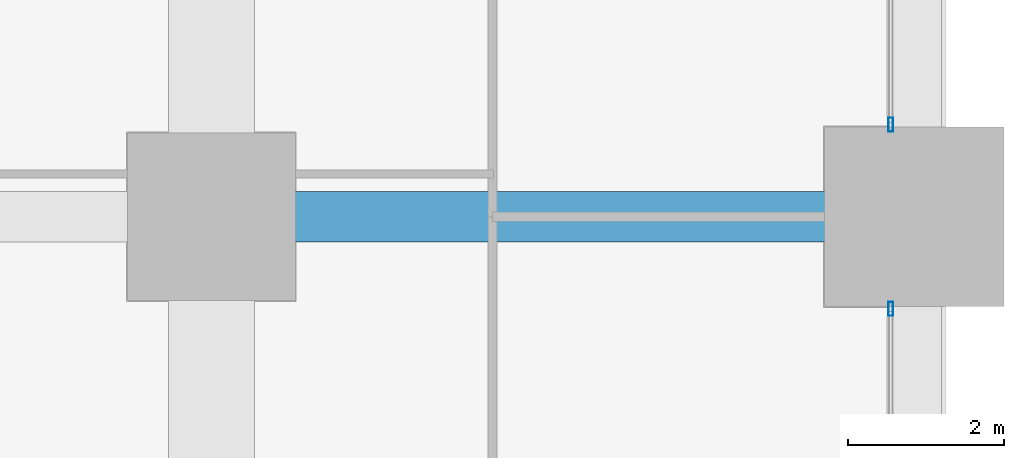
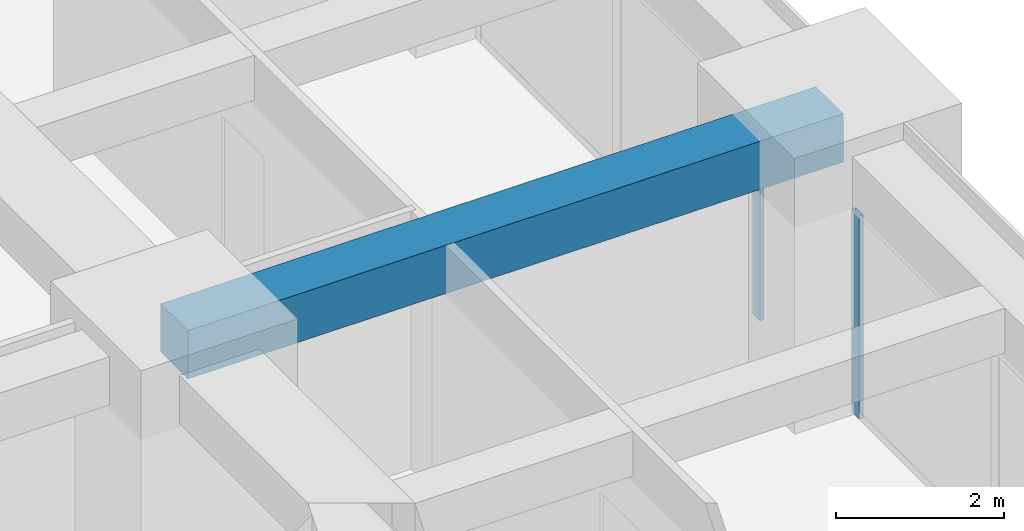
# One storey, part 32 of 44: 2 members, 1 beam, 2 elements without a shape of their own.
"""IFC4 building model written with IfcOpenShell, lengths in metres."""

from ifc_helpers import new_model, si_unit, direction, frame, origin, origin_2d, place, context, subcontext, project, spatial, rectangle, hollow_rectangle, extrude, material, material_profile, profile_set, type_object, element, aggregate, save


model = new_model("IFC4")

# Units and contexts
model_context = context("Model", 3, precision=1e-05, world=origin(), true_north=direction((0.0, 1.0)))
body_context = subcontext(model_context, "Body", "Model", "MODEL_VIEW")
ifc_project = project(units=[si_unit("LENGTHUNIT", "METRE"), si_unit("AREAUNIT", "SQUARE_METRE"), si_unit("VOLUMEUNIT", "CUBIC_METRE"), si_unit("PLANEANGLEUNIT", "RADIAN"), si_unit("MASSUNIT", "GRAM", prefix="KILO")], contexts=[model_context])

# Site, building, storey
site_placement = place(None, origin())
site = spatial("IfcSite", under=ifc_project, at=site_placement, CompositionType="ELEMENT")
building_placement = place(site_placement, origin())
building = spatial("IfcBuilding", under=site, at=building_placement, Name="Zorevar Civic Tower", CompositionType="ELEMENT")
storey_placement = place(building_placement, frame((0.0, 0.0, 55.800048828125)))
storey = spatial("IfcBuildingStorey", under=building, at=storey_placement, Name="L13", CompositionType="ELEMENT", Elevation=55.800048828125)

# Beam
ifc_material_1 = material(Name="Concrete C50/60", Category="concrete")
ifc_material_profile_1 = material_profile(ifc_material_1, rectangle(XDim=0.64990234375, YDim=0.699951171875, at=origin_2d()), Name="RC 650x700")
ifc_profile_set_1 = profile_set([ifc_material_profile_1], Name="Concrete C50/60")
beam_type = type_object("IfcBeamType", Name="Beam RC 650x700", PredefinedType="BEAM", material=ifc_profile_set_1)
beam_placement = place(storey_placement, frame((54.0, 36.0, 3.39990234375), z_axis=(1.0, 0.0, 0.0), x_axis=(0.0, 1.0, 0.0)))
element("IfcBeam", 1, at=beam_placement, inside=storey, type_object=beam_type, Name="Girder L14", PredefinedType="BEAM", context=body_context, shape_type="SweptSolid", body=[
    extrude(rectangle(XDim=0.64990234375, YDim=0.699951171875, at=origin_2d()), origin(), (0.0, 0.0, 1.0), 9.0),
])

# Curtain wall, member
ifc_material_2 = material(Name="Dark grey solar-control glass in black aluminium frame", Category="aluminium")
curtain_wall_type = type_object("IfcCurtainWallType", Name="Curtain wall CW2 low zone", PredefinedType="NOTDEFINED", material=ifc_material_2)
curtain_wall_1_placement = place(storey_placement, origin())
curtain_wall_1 = element("IfcCurtainWall", 2, at=curtain_wall_1_placement, inside=storey, type_object=curtain_wall_type, Name="CW2 L13", PredefinedType="NOTDEFINED")
ifc_material_3 = material(Name="Aluminium, black anodised", Category="aluminium")
ifc_material_profile_2 = material_profile(ifc_material_3, hollow_rectangle(XDim=0.06005859375, YDim=0.179931640625, WallThickness=0.00390625, at=origin_2d()), Name="AL 180x60x4")
ifc_profile_set_2 = profile_set([ifc_material_profile_2], Name="Aluminium, black anodised")
member_type = type_object("IfcMemberType", Name="CW2 mullion AL 180x60x4", PredefinedType="MULLION", material=ifc_profile_set_2)
member_1_placement = place(storey_placement, frame((62.699951171875, 34.820068359375, 0.0), z_axis=(0.0, 0.0, 1.0), x_axis=(-1.0, 0.0, 0.0)))
member_1 = element("IfcMember", 3, at=member_1_placement, type_object=member_type, Name="CW2 mullion 3", PredefinedType="MULLION", context=body_context, shape_type="SweptSolid", body=[
    extrude(hollow_rectangle(XDim=0.06005859375, YDim=0.179931640625, WallThickness=0.00390625, at=origin_2d()), origin(), (0.0, 0.0, 1.0), 2.949951171875),
])
aggregate(curtain_wall_1, [member_1])

curtain_wall_2_placement = place(storey_placement, origin())
curtain_wall_2 = element("IfcCurtainWall", 4, at=curtain_wall_2_placement, inside=storey, type_object=curtain_wall_type, Name="CW2 L13", PredefinedType="NOTDEFINED")
member_2_placement = place(storey_placement, frame((62.699951171875, 37.179931640625, 0.0), z_axis=(0.0, 0.0, 1.0), x_axis=(-1.0, 0.0, 0.0)))
member_2 = element("IfcMember", 5, at=member_2_placement, type_object=member_type, Name="CW2 mullion 1", PredefinedType="MULLION", context=body_context, shape_type="SweptSolid", body=[
    extrude(hollow_rectangle(XDim=0.06005859375, YDim=0.179931640625, WallThickness=0.00390625, at=origin_2d()), origin(), (0.0, 0.0, 1.0), 2.949951171875),
])
aggregate(curtain_wall_2, [member_2])

save(model, "model.ifc")
